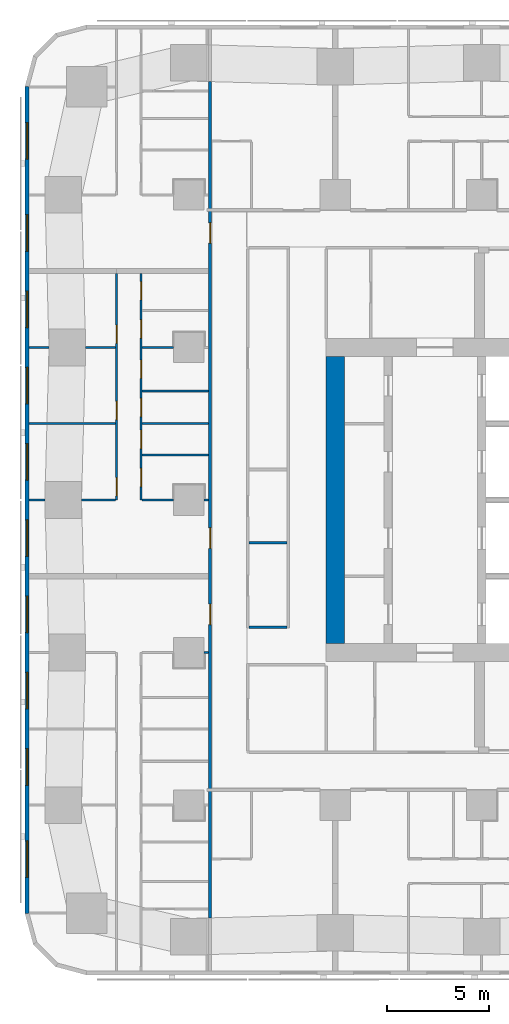
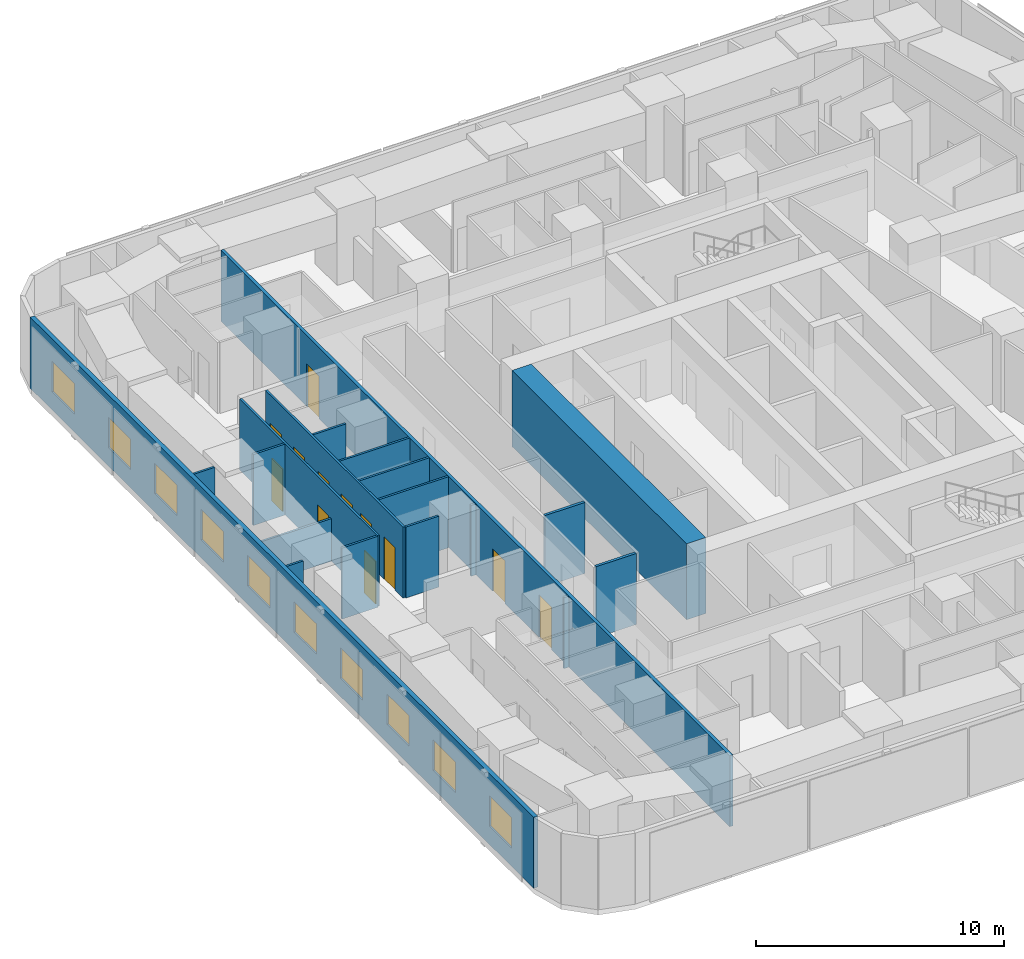
# One storey, part 4 of 15: 19 walls, 12 doors, 10 windows, 22 openings.
"""IFC4 building model written with IfcOpenShell, lengths in metres."""

from ifc_helpers import new_model, si_unit, direction, frame, frame_2d, origin, place, context, subcontext, project, spatial, rectangle, extrude, material, layer, layer_set, type_object, element, fill, save


model = new_model("IFC4")

# Units and contexts
model_context = context("Model", 3, precision=1e-05, world=origin(), true_north=direction((0.0, 1.0)))
body_context = subcontext(model_context, "Body", "Model", "MODEL_VIEW")
ifc_project = project(units=[si_unit("LENGTHUNIT", "METRE"), si_unit("AREAUNIT", "SQUARE_METRE"), si_unit("VOLUMEUNIT", "CUBIC_METRE"), si_unit("PLANEANGLEUNIT", "RADIAN"), si_unit("MASSUNIT", "GRAM", prefix="KILO")], contexts=[model_context])

# Site, building, storey
site_placement = place(None, origin())
site = spatial("IfcSite", under=ifc_project, at=site_placement, CompositionType="ELEMENT")
building_placement = place(site_placement, origin())
building = spatial("IfcBuilding", under=site, at=building_placement, Name="Sheger Commons Tower", CompositionType="ELEMENT")
storey_placement = place(building_placement, frame((0.0, 0.0, 154.550048828125)))
storey = spatial("IfcBuildingStorey", under=building, at=storey_placement, Name="L39", CompositionType="ELEMENT", Elevation=154.550048828125)

# Wall
ifc_material_1 = material(Name="Concrete C50/60", Category="concrete")
ifc_layer_1 = layer(ifc_material_1, 0.89990234375)
ifc_layer_set_1 = layer_set([ifc_layer_1], Name="CORE WALL 900")
wall_type_1 = type_object("IfcWallType", Name="CORE WALL 900", PredefinedType="SHEAR", material=ifc_layer_set_1)
wall_1_placement = place(storey_placement, frame((14.39990234375, 15.449951171875, 0.0), z_axis=(0.0, 0.0, 1.0), x_axis=(0.0, 1.0, 0.0)))
element("IfcWall", 1, at=wall_1_placement, inside=storey, type_object=wall_type_1, Name="Core wall west L39", PredefinedType="SHEAR", context=body_context, shape_type="SweptSolid", body=[
    extrude(rectangle(XDim=14.10009765625, YDim=0.89990234375, at=frame_2d((7.050048828125, 0.0))), origin(), (0.0, 0.0, 1.0), 3.75),
])

# Wall, openings, doors
ifc_material_2 = material(Name="Hollow concrete block masonry, skimmed both sides", Category="masonry")
ifc_layer_2 = layer(ifc_material_2, 0.14990234375)
ifc_layer_set_2 = layer_set([ifc_layer_2], Name="CORRIDOR WALL 150")
wall_type_2 = type_object("IfcWallType", Name="CORRIDOR WALL 150", PredefinedType="SOLIDWALL", material=ifc_layer_set_2)
wall_2_placement = place(storey_placement, frame((8.25, 1.95703125, 0.0), z_axis=(0.0, 0.0, 1.0), x_axis=(0.0, 1.0, 0.0)))
wall_2 = element("IfcWall", 2, at=wall_2_placement, inside=storey, type_object=wall_type_2, Name="Corridor wall L39", PredefinedType="SOLIDWALL", context=body_context, shape_type="SweptSolid", body=[
    extrude(rectangle(XDim=41.111083984375, YDim=0.14990234375, at=frame_2d((20.5556640625, 0.0))), origin(), (0.0, 0.0, 1.0), 3.5),
])
opening_1_placement = place(wall_2_placement, frame((14.41796875, 0.0, 0.0)))
opening_1 = element("IfcOpeningElement", 3, at=opening_1_placement, cuts=wall_2, Name="Opening D1", PredefinedType="OPENING", context=body_context, shape_type="SweptSolid", body=[
    extrude(rectangle(XDim=1.0, YDim=2.10009765625, at=frame_2d((0.5, 1.050048828125))), frame((0.0, 0.0849609375, 0.0), z_axis=(0.0, -1.0, 0.0), x_axis=(1.0, 0.0, 0.0)), (0.0, 0.0, 1.0), 0.169921875),
])
opening_2_placement = place(wall_2_placement, frame((18.16796875, 0.0, 0.0)))
opening_2 = element("IfcOpeningElement", 4, at=opening_2_placement, cuts=wall_2, Name="Opening D1", PredefinedType="OPENING", context=body_context, shape_type="SweptSolid", body=[
    extrude(rectangle(XDim=1.0, YDim=2.10009765625, at=frame_2d((0.5, 1.050048828125))), frame((0.0, 0.0849609375, 0.0), z_axis=(0.0, -1.0, 0.0), x_axis=(1.0, 0.0, 0.0)), (0.0, 0.0, 1.0), 0.169921875),
])
opening_3_placement = place(wall_2_placement, frame((33.16796875, 0.0, 0.0)))
opening_3 = element("IfcOpeningElement", 5, at=opening_3_placement, cuts=wall_2, Name="Opening D1", PredefinedType="OPENING", context=body_context, shape_type="SweptSolid", body=[
    extrude(rectangle(XDim=1.0, YDim=2.10009765625, at=frame_2d((0.5, 1.050048828125))), frame((0.0, 0.0849609375, 0.0), z_axis=(0.0, -1.0, 0.0), x_axis=(1.0, 0.0, 0.0)), (0.0, 0.0, 1.0), 0.169921875),
])
ifc_material_3 = material(Name="Steel door set, fire rated", Category="steel")
door_type_1 = type_object("IfcDoorType", Name="FLAT ENTRANCE DOOR 1000x2100", OperationType="NOTDEFINED", PredefinedType="DOOR", material=ifc_material_3)
door_1_placement = place(opening_1_placement, origin())
door_1 = element("IfcDoor", 6, at=door_1_placement, inside=storey, type_object=door_type_1, Name="Flat entrance door", OperationType="SINGLE_SWING_RIGHT", OverallHeight=2.10009765625, OverallWidth=1.0, PredefinedType="DOOR", context=body_context, shape_type="SweptSolid", body=[
    extrude(rectangle(XDim=1.0, YDim=2.10009765625, at=frame_2d((0.5, 1.050048828125))), frame((0.0, 0.02490234375, 0.0), z_axis=(0.0, -1.0, 0.0), x_axis=(1.0, 0.0, 0.0)), (0.0, 0.0, 1.0), 0.050048828125),
])
fill(opening_1, door_1)
door_2_placement = place(opening_2_placement, origin())
door_2 = element("IfcDoor", 7, at=door_2_placement, inside=storey, type_object=door_type_1, Name="Flat entrance door", OperationType="SINGLE_SWING_LEFT", OverallHeight=2.10009765625, OverallWidth=1.0, PredefinedType="DOOR", context=body_context, shape_type="SweptSolid", body=[
    extrude(rectangle(XDim=1.0, YDim=2.10009765625, at=frame_2d((0.5, 1.050048828125))), frame((0.0, 0.02490234375, 0.0), z_axis=(0.0, -1.0, 0.0), x_axis=(1.0, 0.0, 0.0)), (0.0, 0.0, 1.0), 0.050048828125),
])
fill(opening_2, door_2)
door_3_placement = place(opening_3_placement, origin())
door_3 = element("IfcDoor", 8, at=door_3_placement, inside=storey, type_object=door_type_1, Name="Flat entrance door", OperationType="SINGLE_SWING_RIGHT", OverallHeight=2.10009765625, OverallWidth=1.0, PredefinedType="DOOR", context=body_context, shape_type="SweptSolid", body=[
    extrude(rectangle(XDim=1.0, YDim=2.10009765625, at=frame_2d((0.5, 1.050048828125))), frame((0.0, 0.02490234375, 0.0), z_axis=(0.0, -1.0, 0.0), x_axis=(1.0, 0.0, 0.0)), (0.0, 0.0, 1.0), 0.050048828125),
])
fill(opening_3, door_3)

# Wall, openings, windows
ifc_material_4 = material(Name="Rendered concrete block masonry, dark grey", Category="masonry")
ifc_layer_3 = layer(ifc_material_4, 0.199951171875)
ifc_layer_set_3 = layer_set([ifc_layer_3], Name="FACADE WALL 200")
wall_type_3 = type_object("IfcWallType", Name="FACADE WALL 200", PredefinedType="SOLIDWALL", material=ifc_layer_set_3)
wall_3_placement = place(storey_placement, frame((-0.75, 42.8369140625, 0.0), z_axis=(0.0, 0.0, 1.0), x_axis=(0.0, -1.0, 0.0)))
wall_3 = element("IfcWall", 9, at=wall_3_placement, inside=storey, type_object=wall_type_3, Name="Facade wall L39", PredefinedType="SOLIDWALL", context=body_context, shape_type="SweptSolid", body=[
    extrude(rectangle(XDim=40.673828125, YDim=0.199951171875, at=frame_2d((20.3369140625, 0.0))), origin(), (0.0, 0.0, 1.0), 3.5),
])
opening_4_placement = place(wall_3_placement, frame((1.780029296875, 0.0, 0.89990234375)))
opening_4 = element("IfcOpeningElement", 10, at=opening_4_placement, cuts=wall_3, Name="Opening W2", PredefinedType="OPENING", context=body_context, shape_type="SweptSolid", body=[
    extrude(rectangle(XDim=1.800048828125, YDim=1.5, at=frame_2d((0.89990234375, 0.75))), frame((0.0, 0.10986328125, 0.0), z_axis=(0.0, -1.0, 0.0), x_axis=(1.0, 0.0, 0.0)), (0.0, 0.0, 1.0), 0.219970703125),
])
opening_5_placement = place(wall_3_placement, frame((6.31201171875, 0.0, 0.89990234375)))
opening_5 = element("IfcOpeningElement", 11, at=opening_5_placement, cuts=wall_3, Name="Opening W2", PredefinedType="OPENING", context=body_context, shape_type="SweptSolid", body=[
    extrude(rectangle(XDim=1.800048828125, YDim=1.5, at=frame_2d((0.89990234375, 0.75))), frame((0.0, 0.10986328125, 0.0), z_axis=(0.0, -1.0, 0.0), x_axis=(1.0, 0.0, 0.0)), (0.0, 0.0, 1.0), 0.219970703125),
])
opening_6_placement = place(wall_3_placement, frame((10.06201171875, 0.0, 0.89990234375)))
opening_6 = element("IfcOpeningElement", 12, at=opening_6_placement, cuts=wall_3, Name="Opening W2", PredefinedType="OPENING", context=body_context, shape_type="SweptSolid", body=[
    extrude(rectangle(XDim=1.800048828125, YDim=1.5, at=frame_2d((0.89990234375, 0.75))), frame((0.0, 0.10986328125, 0.0), z_axis=(0.0, -1.0, 0.0), x_axis=(1.0, 0.0, 0.0)), (0.0, 0.0, 1.0), 0.219970703125),
])
opening_7_placement = place(wall_3_placement, frame((13.81201171875, 0.0, 0.89990234375)))
opening_7 = element("IfcOpeningElement", 13, at=opening_7_placement, cuts=wall_3, Name="Opening W2", PredefinedType="OPENING", context=body_context, shape_type="SweptSolid", body=[
    extrude(rectangle(XDim=1.800048828125, YDim=1.5, at=frame_2d((0.89990234375, 0.75))), frame((0.0, 0.10986328125, 0.0), z_axis=(0.0, -1.0, 0.0), x_axis=(1.0, 0.0, 0.0)), (0.0, 0.0, 1.0), 0.219970703125),
])
opening_8_placement = place(wall_3_placement, frame((17.56201171875, 0.0, 0.89990234375)))
opening_8 = element("IfcOpeningElement", 14, at=opening_8_placement, cuts=wall_3, Name="Opening W2", PredefinedType="OPENING", context=body_context, shape_type="SweptSolid", body=[
    extrude(rectangle(XDim=1.800048828125, YDim=1.5, at=frame_2d((0.89990234375, 0.75))), frame((0.0, 0.10986328125, 0.0), z_axis=(0.0, -1.0, 0.0), x_axis=(1.0, 0.0, 0.0)), (0.0, 0.0, 1.0), 0.219970703125),
])
opening_9_placement = place(wall_3_placement, frame((21.31201171875, 0.0, 0.89990234375)))
opening_9 = element("IfcOpeningElement", 15, at=opening_9_placement, cuts=wall_3, Name="Opening W2", PredefinedType="OPENING", context=body_context, shape_type="SweptSolid", body=[
    extrude(rectangle(XDim=1.800048828125, YDim=1.5, at=frame_2d((0.89990234375, 0.75))), frame((0.0, 0.10986328125, 0.0), z_axis=(0.0, -1.0, 0.0), x_axis=(1.0, 0.0, 0.0)), (0.0, 0.0, 1.0), 0.219970703125),
])
opening_10_placement = place(wall_3_placement, frame((25.06201171875, 0.0, 0.89990234375)))
opening_10 = element("IfcOpeningElement", 16, at=opening_10_placement, cuts=wall_3, Name="Opening W2", PredefinedType="OPENING", context=body_context, shape_type="SweptSolid", body=[
    extrude(rectangle(XDim=1.800048828125, YDim=1.5, at=frame_2d((0.89990234375, 0.75))), frame((0.0, 0.10986328125, 0.0), z_axis=(0.0, -1.0, 0.0), x_axis=(1.0, 0.0, 0.0)), (0.0, 0.0, 1.0), 0.219970703125),
])
opening_11_placement = place(wall_3_placement, frame((28.81201171875, 0.0, 0.89990234375)))
opening_11 = element("IfcOpeningElement", 17, at=opening_11_placement, cuts=wall_3, Name="Opening W2", PredefinedType="OPENING", context=body_context, shape_type="SweptSolid", body=[
    extrude(rectangle(XDim=1.800048828125, YDim=1.5, at=frame_2d((0.89990234375, 0.75))), frame((0.0, 0.10986328125, 0.0), z_axis=(0.0, -1.0, 0.0), x_axis=(1.0, 0.0, 0.0)), (0.0, 0.0, 1.0), 0.219970703125),
])
opening_12_placement = place(wall_3_placement, frame((32.56201171875, 0.0, 0.89990234375)))
opening_12 = element("IfcOpeningElement", 18, at=opening_12_placement, cuts=wall_3, Name="Opening W2", PredefinedType="OPENING", context=body_context, shape_type="SweptSolid", body=[
    extrude(rectangle(XDim=1.800048828125, YDim=1.5, at=frame_2d((0.89990234375, 0.75))), frame((0.0, 0.10986328125, 0.0), z_axis=(0.0, -1.0, 0.0), x_axis=(1.0, 0.0, 0.0)), (0.0, 0.0, 1.0), 0.219970703125),
])
opening_13_placement = place(wall_3_placement, frame((37.093994140625, 0.0, 0.89990234375)))
opening_13 = element("IfcOpeningElement", 19, at=opening_13_placement, cuts=wall_3, Name="Opening W2", PredefinedType="OPENING", context=body_context, shape_type="SweptSolid", body=[
    extrude(rectangle(XDim=1.800048828125, YDim=1.5, at=frame_2d((0.89990234375, 0.75))), frame((0.0, 0.10986328125, 0.0), z_axis=(0.0, -1.0, 0.0), x_axis=(1.0, 0.0, 0.0)), (0.0, 0.0, 1.0), 0.219970703125),
])
ifc_material_5 = material(Name="Black aluminium frame, dark tinted double glazing", Category="aluminium")
window_type = type_object("IfcWindowType", Name="WINDOW W2 1800x1500", PartitioningType="SINGLE_PANEL", PredefinedType="WINDOW", material=ifc_material_5)
window_1_placement = place(opening_4_placement, origin())
window_1 = element("IfcWindow", 20, at=window_1_placement, inside=storey, type_object=window_type, Name="Window W2 1800X1500", OverallHeight=1.5, OverallWidth=1.800048828125, PartitioningType="SINGLE_PANEL", PredefinedType="WINDOW", context=body_context, shape_type="SweptSolid", body=[
    extrude(rectangle(XDim=1.800048828125, YDim=1.5, at=frame_2d((0.89990234375, 0.75))), frame((0.0, 0.030029296875, 0.0), z_axis=(0.0, -1.0, 0.0), x_axis=(1.0, 0.0, 0.0)), (0.0, 0.0, 1.0), 0.06005859375),
])
fill(opening_4, window_1)
window_2_placement = place(opening_5_placement, origin())
window_2 = element("IfcWindow", 21, at=window_2_placement, inside=storey, type_object=window_type, Name="Window W2 1800X1500", OverallHeight=1.5, OverallWidth=1.800048828125, PartitioningType="SINGLE_PANEL", PredefinedType="WINDOW", context=body_context, shape_type="SweptSolid", body=[
    extrude(rectangle(XDim=1.800048828125, YDim=1.5, at=frame_2d((0.89990234375, 0.75))), frame((0.0, 0.030029296875, 0.0), z_axis=(0.0, -1.0, 0.0), x_axis=(1.0, 0.0, 0.0)), (0.0, 0.0, 1.0), 0.06005859375),
])
fill(opening_5, window_2)
window_3_placement = place(opening_6_placement, origin())
window_3 = element("IfcWindow", 22, at=window_3_placement, inside=storey, type_object=window_type, Name="Window W2 1800X1500", OverallHeight=1.5, OverallWidth=1.800048828125, PartitioningType="SINGLE_PANEL", PredefinedType="WINDOW", context=body_context, shape_type="SweptSolid", body=[
    extrude(rectangle(XDim=1.800048828125, YDim=1.5, at=frame_2d((0.89990234375, 0.75))), frame((0.0, 0.030029296875, 0.0), z_axis=(0.0, -1.0, 0.0), x_axis=(1.0, 0.0, 0.0)), (0.0, 0.0, 1.0), 0.06005859375),
])
fill(opening_6, window_3)
window_4_placement = place(opening_7_placement, origin())
window_4 = element("IfcWindow", 23, at=window_4_placement, inside=storey, type_object=window_type, Name="Window W2 1800X1500", OverallHeight=1.5, OverallWidth=1.800048828125, PartitioningType="SINGLE_PANEL", PredefinedType="WINDOW", context=body_context, shape_type="SweptSolid", body=[
    extrude(rectangle(XDim=1.800048828125, YDim=1.5, at=frame_2d((0.89990234375, 0.75))), frame((0.0, 0.030029296875, 0.0), z_axis=(0.0, -1.0, 0.0), x_axis=(1.0, 0.0, 0.0)), (0.0, 0.0, 1.0), 0.06005859375),
])
fill(opening_7, window_4)
window_5_placement = place(opening_8_placement, origin())
window_5 = element("IfcWindow", 24, at=window_5_placement, inside=storey, type_object=window_type, Name="Window W2 1800X1500", OverallHeight=1.5, OverallWidth=1.800048828125, PartitioningType="SINGLE_PANEL", PredefinedType="WINDOW", context=body_context, shape_type="SweptSolid", body=[
    extrude(rectangle(XDim=1.800048828125, YDim=1.5, at=frame_2d((0.89990234375, 0.75))), frame((0.0, 0.030029296875, 0.0), z_axis=(0.0, -1.0, 0.0), x_axis=(1.0, 0.0, 0.0)), (0.0, 0.0, 1.0), 0.06005859375),
])
fill(opening_8, window_5)
window_6_placement = place(opening_9_placement, origin())
window_6 = element("IfcWindow", 25, at=window_6_placement, inside=storey, type_object=window_type, Name="Window W2 1800X1500", OverallHeight=1.5, OverallWidth=1.800048828125, PartitioningType="SINGLE_PANEL", PredefinedType="WINDOW", context=body_context, shape_type="SweptSolid", body=[
    extrude(rectangle(XDim=1.800048828125, YDim=1.5, at=frame_2d((0.89990234375, 0.75))), frame((0.0, 0.030029296875, 0.0), z_axis=(0.0, -1.0, 0.0), x_axis=(1.0, 0.0, 0.0)), (0.0, 0.0, 1.0), 0.06005859375),
])
fill(opening_9, window_6)
window_7_placement = place(opening_10_placement, origin())
window_7 = element("IfcWindow", 26, at=window_7_placement, inside=storey, type_object=window_type, Name="Window W2 1800X1500", OverallHeight=1.5, OverallWidth=1.800048828125, PartitioningType="SINGLE_PANEL", PredefinedType="WINDOW", context=body_context, shape_type="SweptSolid", body=[
    extrude(rectangle(XDim=1.800048828125, YDim=1.5, at=frame_2d((0.89990234375, 0.75))), frame((0.0, 0.030029296875, 0.0), z_axis=(0.0, -1.0, 0.0), x_axis=(1.0, 0.0, 0.0)), (0.0, 0.0, 1.0), 0.06005859375),
])
fill(opening_10, window_7)
window_8_placement = place(opening_11_placement, origin())
window_8 = element("IfcWindow", 27, at=window_8_placement, inside=storey, type_object=window_type, Name="Window W2 1800X1500", OverallHeight=1.5, OverallWidth=1.800048828125, PartitioningType="SINGLE_PANEL", PredefinedType="WINDOW", context=body_context, shape_type="SweptSolid", body=[
    extrude(rectangle(XDim=1.800048828125, YDim=1.5, at=frame_2d((0.89990234375, 0.75))), frame((0.0, 0.030029296875, 0.0), z_axis=(0.0, -1.0, 0.0), x_axis=(1.0, 0.0, 0.0)), (0.0, 0.0, 1.0), 0.06005859375),
])
fill(opening_11, window_8)
window_9_placement = place(opening_12_placement, origin())
window_9 = element("IfcWindow", 28, at=window_9_placement, inside=storey, type_object=window_type, Name="Window W2 1800X1500", OverallHeight=1.5, OverallWidth=1.800048828125, PartitioningType="SINGLE_PANEL", PredefinedType="WINDOW", context=body_context, shape_type="SweptSolid", body=[
    extrude(rectangle(XDim=1.800048828125, YDim=1.5, at=frame_2d((0.89990234375, 0.75))), frame((0.0, 0.030029296875, 0.0), z_axis=(0.0, -1.0, 0.0), x_axis=(1.0, 0.0, 0.0)), (0.0, 0.0, 1.0), 0.06005859375),
])
fill(opening_12, window_9)
window_10_placement = place(opening_13_placement, origin())
window_10 = element("IfcWindow", 29, at=window_10_placement, inside=storey, type_object=window_type, Name="Window W2 1800X1500", OverallHeight=1.5, OverallWidth=1.800048828125, PartitioningType="SINGLE_PANEL", PredefinedType="WINDOW", context=body_context, shape_type="SweptSolid", body=[
    extrude(rectangle(XDim=1.800048828125, YDim=1.5, at=frame_2d((0.89990234375, 0.75))), frame((0.0, 0.030029296875, 0.0), z_axis=(0.0, -1.0, 0.0), x_axis=(1.0, 0.0, 0.0)), (0.0, 0.0, 1.0), 0.06005859375),
])
fill(opening_13, window_10)

# Wall
ifc_material_6 = material(Name="Gypsum board on steel studs", Category="steel")
ifc_layer_4 = layer(ifc_material_6, 0.10009765625)
ifc_layer_set_4 = layer_set([ifc_layer_4], Name="PARTITION 100")
wall_type_4 = type_object("IfcWallType", Name="PARTITION 100", PredefinedType="PARTITIONING", material=ifc_layer_set_4)
wall_4_placement = place(storey_placement, frame((7.950927734375, 15.0, 0.0), z_axis=(0.0, 0.0, 1.0), x_axis=(1.0, 0.0, 0.0)))
element("IfcWall", 30, at=wall_4_placement, inside=storey, type_object=wall_type_4, Name="Partition L39", PredefinedType="PARTITIONING", context=body_context, shape_type="SweptSolid", body=[
    extrude(rectangle(XDim=0.22412109375, YDim=0.10009765625, at=frame_2d((0.112060546875, 0.0))), origin(), (0.0, 0.0, 1.0), 3.5),
])

# Wall, openings, doors
wall_5_placement = place(storey_placement, frame((3.64990234375, 22.5, 0.0), z_axis=(0.0, 0.0, 1.0), x_axis=(0.0, 1.0, 0.0)))
wall_5 = element("IfcWall", 31, at=wall_5_placement, inside=storey, type_object=wall_type_4, Name="Partition L39", PredefinedType="PARTITIONING", context=body_context, shape_type="SweptSolid", body=[
    extrude(rectangle(XDim=11.125, YDim=0.10009765625, at=frame_2d((5.5625, 0.0))), origin(), (0.0, 0.0, 1.0), 3.5),
])
opening_14_placement = place(wall_5_placement, frame((0.199951171875, 0.0, 0.0)))
opening_14 = element("IfcOpeningElement", 32, at=opening_14_placement, cuts=wall_5, Name="Opening D2", PredefinedType="OPENING", context=body_context, shape_type="SweptSolid", body=[
    extrude(rectangle(XDim=0.89990234375, YDim=2.10009765625, at=frame_2d((0.449951171875, 1.050048828125))), frame((0.0, 0.06005859375, 0.0), z_axis=(0.0, -1.0, 0.0), x_axis=(1.0, 0.0, 0.0)), (0.0, 0.0, 1.0), 0.1201171875),
])
opening_15_placement = place(wall_5_placement, frame((3.949951171875, 0.0, 0.0)))
opening_15 = element("IfcOpeningElement", 33, at=opening_15_placement, cuts=wall_5, Name="Opening D2", PredefinedType="OPENING", context=body_context, shape_type="SweptSolid", body=[
    extrude(rectangle(XDim=0.89990234375, YDim=2.10009765625, at=frame_2d((0.449951171875, 1.050048828125))), frame((0.0, 0.06005859375, 0.0), z_axis=(0.0, -1.0, 0.0), x_axis=(1.0, 0.0, 0.0)), (0.0, 0.0, 1.0), 0.1201171875),
])
opening_16_placement = place(wall_5_placement, frame((7.699951171875, 0.0, 0.0)))
opening_16 = element("IfcOpeningElement", 34, at=opening_16_placement, cuts=wall_5, Name="Opening D2", PredefinedType="OPENING", context=body_context, shape_type="SweptSolid", body=[
    extrude(rectangle(XDim=0.89990234375, YDim=2.10009765625, at=frame_2d((0.449951171875, 1.050048828125))), frame((0.0, 0.06005859375, 0.0), z_axis=(0.0, -1.0, 0.0), x_axis=(1.0, 0.0, 0.0)), (0.0, 0.0, 1.0), 0.1201171875),
])
ifc_material_7 = material(Name="Timber door set", Category="wood")
door_type_2 = type_object("IfcDoorType", Name="INTERNAL DOOR 900x2100", OperationType="NOTDEFINED", PredefinedType="DOOR", material=ifc_material_7)
door_4_placement = place(opening_14_placement, origin())
door_4 = element("IfcDoor", 35, at=door_4_placement, inside=storey, type_object=door_type_2, Name="Main bedroom door", OperationType="SINGLE_SWING_LEFT", OverallHeight=2.10009765625, OverallWidth=0.89990234375, PredefinedType="DOOR", context=body_context, shape_type="SweptSolid", body=[
    extrude(rectangle(XDim=0.89990234375, YDim=2.10009765625, at=frame_2d((0.449951171875, 1.050048828125))), frame((0.0, 0.02490234375, 0.0), z_axis=(0.0, -1.0, 0.0), x_axis=(1.0, 0.0, 0.0)), (0.0, 0.0, 1.0), 0.050048828125),
])
fill(opening_14, door_4)
door_5_placement = place(opening_15_placement, origin())
door_5 = element("IfcDoor", 36, at=door_5_placement, inside=storey, type_object=door_type_2, Name="Bedroom 2 door", OperationType="SINGLE_SWING_LEFT", OverallHeight=2.10009765625, OverallWidth=0.89990234375, PredefinedType="DOOR", context=body_context, shape_type="SweptSolid", body=[
    extrude(rectangle(XDim=0.89990234375, YDim=2.10009765625, at=frame_2d((0.449951171875, 1.050048828125))), frame((0.0, 0.02490234375, 0.0), z_axis=(0.0, -1.0, 0.0), x_axis=(1.0, 0.0, 0.0)), (0.0, 0.0, 1.0), 0.050048828125),
])
fill(opening_15, door_5)
door_6_placement = place(opening_16_placement, origin())
door_6 = element("IfcDoor", 37, at=door_6_placement, inside=storey, type_object=door_type_2, Name="Bedroom 3 door", OperationType="SINGLE_SWING_LEFT", OverallHeight=2.10009765625, OverallWidth=0.89990234375, PredefinedType="DOOR", context=body_context, shape_type="SweptSolid", body=[
    extrude(rectangle(XDim=0.89990234375, YDim=2.10009765625, at=frame_2d((0.449951171875, 1.050048828125))), frame((0.0, 0.02490234375, 0.0), z_axis=(0.0, -1.0, 0.0), x_axis=(1.0, 0.0, 0.0)), (0.0, 0.0, 1.0), 0.050048828125),
])
fill(opening_16, door_6)

wall_6_placement = place(storey_placement, frame((4.85009765625, 22.5, 0.0), z_axis=(0.0, 0.0, 1.0), x_axis=(0.0, 1.0, 0.0)))
wall_6 = element("IfcWall", 38, at=wall_6_placement, inside=storey, type_object=wall_type_4, Name="Partition L39", PredefinedType="PARTITIONING", context=body_context, shape_type="SweptSolid", body=[
    extrude(rectangle(XDim=11.125, YDim=0.10009765625, at=frame_2d((5.5625, 0.0))), origin(), (0.0, 0.0, 1.0), 3.5),
])
opening_17_placement = place(wall_6_placement, frame((0.655029296875, 0.0, 0.0)))
opening_17 = element("IfcOpeningElement", 39, at=opening_17_placement, cuts=wall_6, Name="Opening D2", PredefinedType="OPENING", context=body_context, shape_type="SweptSolid", body=[
    extrude(rectangle(XDim=0.89990234375, YDim=2.10009765625, at=frame_2d((0.449951171875, 1.050048828125))), frame((0.0, 0.06005859375, 0.0), z_axis=(0.0, -1.0, 0.0), x_axis=(1.0, 0.0, 0.0)), (0.0, 0.0, 1.0), 0.1201171875),
])
opening_18_placement = place(wall_6_placement, frame((4.10009765625, 0.0, 0.0)))
opening_18 = element("IfcOpeningElement", 40, at=opening_18_placement, cuts=wall_6, Name="Opening D2", PredefinedType="OPENING", context=body_context, shape_type="SweptSolid", body=[
    extrude(rectangle(XDim=0.89990234375, YDim=2.10009765625, at=frame_2d((0.449951171875, 1.050048828125))), frame((0.0, 0.06005859375, 0.0), z_axis=(0.0, -1.0, 0.0), x_axis=(1.0, 0.0, 0.0)), (0.0, 0.0, 1.0), 0.1201171875),
])
opening_19_placement = place(wall_6_placement, frame((7.9599609375, 0.0, 0.0)))
opening_19 = element("IfcOpeningElement", 41, at=opening_19_placement, cuts=wall_6, Name="Opening D2", PredefinedType="OPENING", context=body_context, shape_type="SweptSolid", body=[
    extrude(rectangle(XDim=0.89990234375, YDim=2.10009765625, at=frame_2d((0.449951171875, 1.050048828125))), frame((0.0, 0.06005859375, 0.0), z_axis=(0.0, -1.0, 0.0), x_axis=(1.0, 0.0, 0.0)), (0.0, 0.0, 1.0), 0.1201171875),
])
opening_20_placement = place(wall_6_placement, frame((2.530029296875, 0.0, 0.0)))
opening_20 = element("IfcOpeningElement", 42, at=opening_20_placement, cuts=wall_6, Name="Opening D2", PredefinedType="OPENING", context=body_context, shape_type="SweptSolid", body=[
    extrude(rectangle(XDim=0.89990234375, YDim=2.10009765625, at=frame_2d((0.449951171875, 1.050048828125))), frame((0.0, 0.06005859375, 0.0), z_axis=(0.0, -1.0, 0.0), x_axis=(1.0, 0.0, 0.0)), (0.0, 0.0, 1.0), 0.1201171875),
])
opening_21_placement = place(wall_6_placement, frame((5.97509765625, 0.0, 0.0)))
opening_21 = element("IfcOpeningElement", 43, at=opening_21_placement, cuts=wall_6, Name="Opening D2", PredefinedType="OPENING", context=body_context, shape_type="SweptSolid", body=[
    extrude(rectangle(XDim=0.89990234375, YDim=2.10009765625, at=frame_2d((0.449951171875, 1.050048828125))), frame((0.0, 0.06005859375, 0.0), z_axis=(0.0, -1.0, 0.0), x_axis=(1.0, 0.0, 0.0)), (0.0, 0.0, 1.0), 0.1201171875),
])
opening_22_placement = place(wall_6_placement, frame((9.8349609375, 0.0, 0.0)))
opening_22 = element("IfcOpeningElement", 44, at=opening_22_placement, cuts=wall_6, Name="Opening D2", PredefinedType="OPENING", context=body_context, shape_type="SweptSolid", body=[
    extrude(rectangle(XDim=0.89990234375, YDim=2.10009765625, at=frame_2d((0.449951171875, 1.050048828125))), frame((0.0, 0.06005859375, 0.0), z_axis=(0.0, -1.0, 0.0), x_axis=(1.0, 0.0, 0.0)), (0.0, 0.0, 1.0), 0.1201171875),
])
door_7_placement = place(opening_17_placement, origin())
door_7 = element("IfcDoor", 45, at=door_7_placement, inside=storey, type_object=door_type_2, Name="Bathroom door", OperationType="SINGLE_SWING_RIGHT", OverallHeight=2.10009765625, OverallWidth=0.89990234375, PredefinedType="DOOR", context=body_context, shape_type="SweptSolid", body=[
    extrude(rectangle(XDim=0.89990234375, YDim=2.10009765625, at=frame_2d((0.449951171875, 1.050048828125))), frame((0.0, 0.02490234375, 0.0), z_axis=(0.0, -1.0, 0.0), x_axis=(1.0, 0.0, 0.0)), (0.0, 0.0, 1.0), 0.050048828125),
])
fill(opening_17, door_7)
door_8_placement = place(opening_18_placement, origin())
door_8 = element("IfcDoor", 46, at=door_8_placement, inside=storey, type_object=door_type_2, Name="Shower room door", OperationType="SINGLE_SWING_LEFT", OverallHeight=2.10009765625, OverallWidth=0.89990234375, PredefinedType="DOOR", context=body_context, shape_type="SweptSolid", body=[
    extrude(rectangle(XDim=0.89990234375, YDim=2.10009765625, at=frame_2d((0.449951171875, 1.050048828125))), frame((0.0, 0.02490234375, 0.0), z_axis=(0.0, -1.0, 0.0), x_axis=(1.0, 0.0, 0.0)), (0.0, 0.0, 1.0), 0.050048828125),
])
fill(opening_18, door_8)
door_9_placement = place(opening_19_placement, origin())
door_9 = element("IfcDoor", 47, at=door_9_placement, inside=storey, type_object=door_type_2, Name="Laundry room door", OperationType="SINGLE_SWING_LEFT", OverallHeight=2.10009765625, OverallWidth=0.89990234375, PredefinedType="DOOR", context=body_context, shape_type="SweptSolid", body=[
    extrude(rectangle(XDim=0.89990234375, YDim=2.10009765625, at=frame_2d((0.449951171875, 1.050048828125))), frame((0.0, 0.02490234375, 0.0), z_axis=(0.0, -1.0, 0.0), x_axis=(1.0, 0.0, 0.0)), (0.0, 0.0, 1.0), 0.050048828125),
])
fill(opening_19, door_9)
door_10_placement = place(opening_20_placement, origin())
door_10 = element("IfcDoor", 48, at=door_10_placement, inside=storey, type_object=door_type_2, Name="Store door", OperationType="SINGLE_SWING_RIGHT", OverallHeight=2.10009765625, OverallWidth=0.89990234375, PredefinedType="DOOR", context=body_context, shape_type="SweptSolid", body=[
    extrude(rectangle(XDim=0.89990234375, YDim=2.10009765625, at=frame_2d((0.449951171875, 1.050048828125))), frame((0.0, 0.02490234375, 0.0), z_axis=(0.0, -1.0, 0.0), x_axis=(1.0, 0.0, 0.0)), (0.0, 0.0, 1.0), 0.050048828125),
])
fill(opening_20, door_10)
door_11_placement = place(opening_21_placement, origin())
door_11 = element("IfcDoor", 49, at=door_11_placement, inside=storey, type_object=door_type_2, Name="Store door", OperationType="SINGLE_SWING_RIGHT", OverallHeight=2.10009765625, OverallWidth=0.89990234375, PredefinedType="DOOR", context=body_context, shape_type="SweptSolid", body=[
    extrude(rectangle(XDim=0.89990234375, YDim=2.10009765625, at=frame_2d((0.449951171875, 1.050048828125))), frame((0.0, 0.02490234375, 0.0), z_axis=(0.0, -1.0, 0.0), x_axis=(1.0, 0.0, 0.0)), (0.0, 0.0, 1.0), 0.050048828125),
])
fill(opening_21, door_11)
door_12_placement = place(opening_22_placement, origin())
door_12 = element("IfcDoor", 50, at=door_12_placement, inside=storey, type_object=door_type_2, Name="Store door", OperationType="SINGLE_SWING_LEFT", OverallHeight=2.10009765625, OverallWidth=0.89990234375, PredefinedType="DOOR", context=body_context, shape_type="SweptSolid", body=[
    extrude(rectangle(XDim=0.89990234375, YDim=2.10009765625, at=frame_2d((0.449951171875, 1.050048828125))), frame((0.0, 0.02490234375, 0.0), z_axis=(0.0, -1.0, 0.0), x_axis=(1.0, 0.0, 0.0)), (0.0, 0.0, 1.0), 0.050048828125),
])
fill(opening_22, door_12)

# Walls
wall_7_placement = place(storey_placement, frame((-0.64990234375, 22.5, 0.0), z_axis=(0.0, 0.0, 1.0), x_axis=(1.0, 0.0, 0.0)))
element("IfcWall", 51, at=wall_7_placement, inside=storey, type_object=wall_type_4, Name="Partition L39", PredefinedType="PARTITIONING", context=body_context, shape_type="SweptSolid", body=[
    extrude(rectangle(XDim=0.77392578125, YDim=0.10009765625, at=frame_2d((0.386962890625, 0.0))), origin(), (0.0, 0.0, 1.0), 3.5),
])
wall_8_placement = place(storey_placement, frame((1.926025390625, 22.5, 0.0), z_axis=(0.0, 0.0, 1.0), x_axis=(1.0, 0.0, 0.0)))
element("IfcWall", 52, at=wall_8_placement, inside=storey, type_object=wall_type_4, Name="Partition L39", PredefinedType="PARTITIONING", context=body_context, shape_type="SweptSolid", body=[
    extrude(rectangle(XDim=1.674072265625, YDim=0.10009765625, at=frame_2d((0.8369140625, 0.0))), origin(), (0.0, 0.0, 1.0), 3.5),
])
wall_9_placement = place(storey_placement, frame((-0.64990234375, 26.25, 0.0), z_axis=(0.0, 0.0, 1.0), x_axis=(1.0, 0.0, 0.0)))
element("IfcWall", 53, at=wall_9_placement, inside=storey, type_object=wall_type_4, Name="Partition L39", PredefinedType="PARTITIONING", context=body_context, shape_type="SweptSolid", body=[
    extrude(rectangle(XDim=4.25, YDim=0.10009765625, at=frame_2d((2.125, 0.0))), origin(), (0.0, 0.0, 1.0), 2.099853515625),
])
wall_10_placement = place(storey_placement, frame((-0.64990234375, 30.0, 0.0), z_axis=(0.0, 0.0, 1.0), x_axis=(1.0, 0.0, 0.0)))
element("IfcWall", 54, at=wall_10_placement, inside=storey, type_object=wall_type_4, Name="Partition L39", PredefinedType="PARTITIONING", context=body_context, shape_type="SweptSolid", body=[
    extrude(rectangle(XDim=0.973876953125, YDim=0.10009765625, at=frame_2d((0.48681640625, 0.0))), origin(), (0.0, 0.0, 1.0), 3.5),
])
wall_11_placement = place(storey_placement, frame((2.1259765625, 30.0, 0.0), z_axis=(0.0, 0.0, 1.0), x_axis=(1.0, 0.0, 0.0)))
element("IfcWall", 55, at=wall_11_placement, inside=storey, type_object=wall_type_4, Name="Partition L39", PredefinedType="PARTITIONING", context=body_context, shape_type="SweptSolid", body=[
    extrude(rectangle(XDim=1.47412109375, YDim=0.10009765625, at=frame_2d((0.737060546875, 0.0))), origin(), (0.0, 0.0, 1.0), 3.5),
])
wall_12_placement = place(storey_placement, frame((4.89990234375, 22.5, 0.0), z_axis=(0.0, 0.0, 1.0), x_axis=(1.0, 0.0, 0.0)))
element("IfcWall", 56, at=wall_12_placement, inside=storey, type_object=wall_type_4, Name="Partition L39", PredefinedType="PARTITIONING", context=body_context, shape_type="SweptSolid", body=[
    extrude(rectangle(XDim=1.549072265625, YDim=0.10009765625, at=frame_2d((0.7744140625, 0.0))), origin(), (0.0, 0.0, 1.0), 3.5),
])
wall_13_placement = place(storey_placement, frame((7.950927734375, 22.5, 0.0), z_axis=(0.0, 0.0, 1.0), x_axis=(1.0, 0.0, 0.0)))
element("IfcWall", 57, at=wall_13_placement, inside=storey, type_object=wall_type_4, Name="Partition L39", PredefinedType="PARTITIONING", context=body_context, shape_type="SweptSolid", body=[
    extrude(rectangle(XDim=0.22412109375, YDim=0.10009765625, at=frame_2d((0.112060546875, 0.0))), origin(), (0.0, 0.0, 1.0), 3.5),
])
wall_14_placement = place(storey_placement, frame((4.89990234375, 26.25, 0.0), z_axis=(0.0, 0.0, 1.0), x_axis=(1.0, 0.0, 0.0)))
element("IfcWall", 58, at=wall_14_placement, inside=storey, type_object=wall_type_4, Name="Partition L39", PredefinedType="PARTITIONING", context=body_context, shape_type="SweptSolid", body=[
    extrude(rectangle(XDim=3.275146484375, YDim=0.10009765625, at=frame_2d((1.6376953125, 0.0))), origin(), (0.0, 0.0, 1.0), 3.5),
])
wall_15_placement = place(storey_placement, frame((4.89990234375, 30.0, 0.0), z_axis=(0.0, 0.0, 1.0), x_axis=(1.0, 0.0, 0.0)))
element("IfcWall", 59, at=wall_15_placement, inside=storey, type_object=wall_type_4, Name="Partition L39", PredefinedType="PARTITIONING", context=body_context, shape_type="SweptSolid", body=[
    extrude(rectangle(XDim=1.549072265625, YDim=0.10009765625, at=frame_2d((0.7744140625, 0.0))), origin(), (0.0, 0.0, 1.0), 3.5),
])
for number, where, z_axis, x_axis, name in (
    (60, (4.89990234375, 24.7099609375, 0.0), (0.0, 0.0, 1.0), (1.0, 0.0, 0.0), "Partition L39"),
    (61, (4.89990234375, 27.85009765625, 0.0), (0.0, 0.0, 1.0), (1.0, 0.0, 0.0), "Partition L39"),
):
    element("IfcWall", number, at=place(storey_placement, frame(where, z_axis=z_axis, x_axis=x_axis)), inside=storey, type_object=wall_type_4, Name=name, PredefinedType="PARTITIONING", context=body_context, shape_type="SweptSolid", body=[
        extrude(rectangle(XDim=3.275146484375, YDim=0.10009765625, at=frame_2d((1.6376953125, 0.0))), origin(), (0.0, 0.0, 1.0), 3.5),
    ])
ifc_material_8 = material(Name="Gypsum board on steel studs, two layers each side, fire rated", Category="steel")
ifc_layer_5 = layer(ifc_material_8, 0.125)
ifc_layer_set_5 = layer_set([ifc_layer_5], Name="SERVICE WALL 125")
wall_type_5 = type_object("IfcWallType", Name="SERVICE WALL 125", PredefinedType="PARTITIONING", material=ifc_layer_set_5)
for number, where, z_axis, x_axis, name in (
    (62, (10.162109375, 20.39990234375, 0.0), (0.0, 0.0, 1.0), (1.0, 0.0, 0.0), "Service room wall L39"),
    (63, (10.162109375, 16.25, 0.0), (0.0, 0.0, 1.0), (1.0, 0.0, 0.0), "Service room wall L39"),
):
    element("IfcWall", number, at=place(storey_placement, frame(where, z_axis=z_axis, x_axis=x_axis)), inside=storey, type_object=wall_type_5, Name=name, PredefinedType="PARTITIONING", context=body_context, shape_type="SweptSolid", body=[
        extrude(rectangle(XDim=1.875, YDim=0.125, at=frame_2d((0.9375, 0.0))), origin(), (0.0, 0.0, 1.0), 3.5),
    ])

save(model, "model.ifc")
